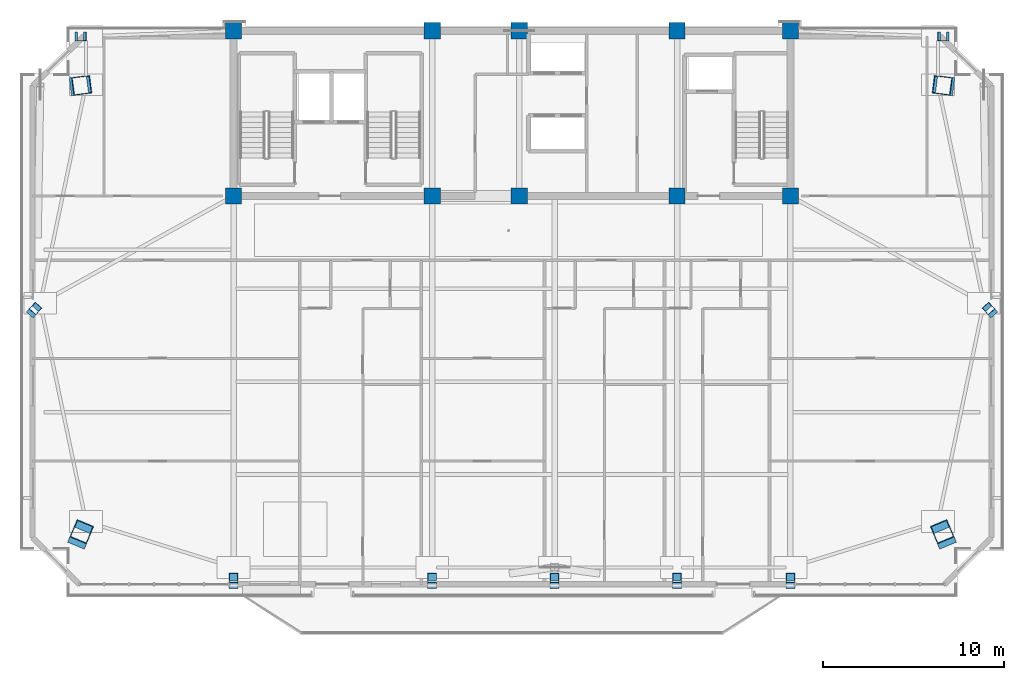
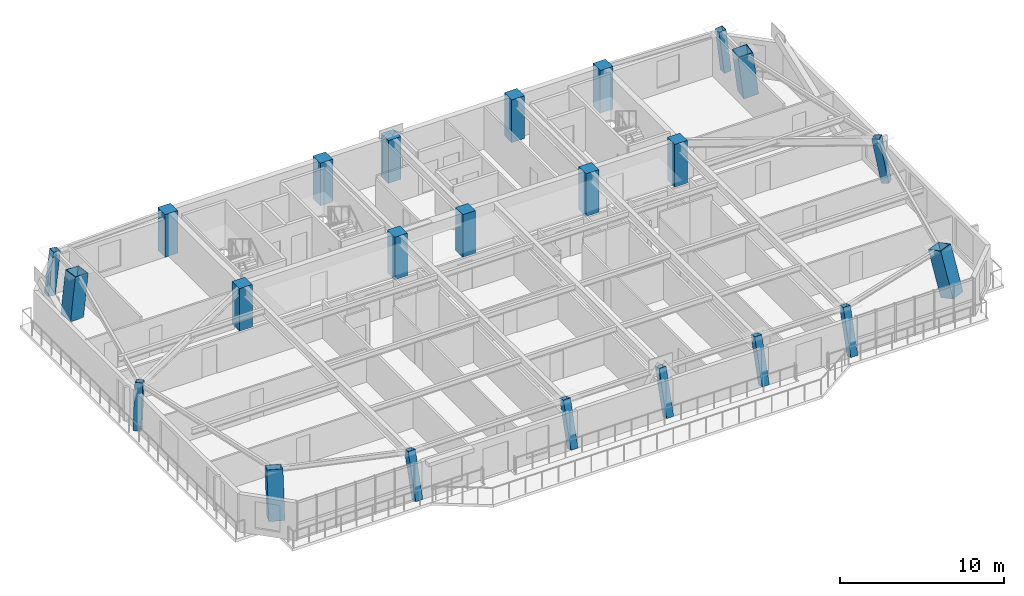
# One storey, part 1 of 18: 23 columns.
"""IFC4 building model written with IfcOpenShell, lengths in metres."""

from ifc_helpers import new_model, si_unit, direction, frame, origin, origin_2d, place, context, subcontext, project, spatial, rectangle, hollow_rectangle, extrude, source, transform, mapped, material, material_profile, profile_set, type_object, element, save


model = new_model("IFC4")

# Units and contexts
model_context = context("Model", 3, precision=1e-05, world=origin(), true_north=direction((0.0, 1.0)))
body_context = subcontext(model_context, "Body", "Model", "MODEL_VIEW")
ifc_project = project(units=[si_unit("LENGTHUNIT", "METRE"), si_unit("AREAUNIT", "SQUARE_METRE"), si_unit("VOLUMEUNIT", "CUBIC_METRE"), si_unit("PLANEANGLEUNIT", "RADIAN"), si_unit("MASSUNIT", "GRAM", prefix="KILO")], contexts=[model_context])

# Site, building, storey
site_placement = place(None, origin())
site = spatial("IfcSite", under=ifc_project, at=site_placement, CompositionType="ELEMENT")
building_placement = place(site_placement, origin())
building = spatial("IfcBuilding", under=site, at=building_placement, Name="Giltprow Tower", CompositionType="ELEMENT")
storey_placement = place(building_placement, frame((0.0, 0.0, 265.5)))
storey = spatial("IfcBuildingStorey", under=building, at=storey_placement, Name="L68", CompositionType="ELEMENT", Elevation=265.5)

# Columns
ifc_material_1 = material(Name="Structural steel Q420GJC", Category="steel")
ifc_material_profile_1 = material_profile(ifc_material_1, hollow_rectangle(XDim=1.0, YDim=1.0, WallThickness=0.044921875, at=origin_2d()), Name="BOX 1000x1000x45")
ifc_profile_set_1 = profile_set([ifc_material_profile_1], Name="Structural steel Q420GJC")
column_type_1 = type_object("IfcColumnType", Name="COL-BOX-1000x1000x45", PredefinedType="COLUMN", material=ifc_profile_set_1)
shared_shape_1 = source(origin(), body_context, "Body", "SweptSolid", [
    extrude(hollow_rectangle(XDim=1.0, YDim=1.0, WallThickness=0.044921875, at=origin_2d()), origin(), (0.0, 0.0, 1.0), 3.326171875),
])
for number, where, z_axis, x_axis, name in (
    (1, (11.347900390625, 18.614013671875, 0.0), (0.110977181902, 0.266066325657, 0.957545181936), (-0.922933739471, 0.384958845263, 0.0), "L68 Mega-Column MC_SW"),
    (2, (59.052978515625, 18.614013671875, 0.0), (-0.110904687369, 0.266068492199, 0.957552979098), (-0.923024180924, -0.384741941345, 0.0), "L68 Mega-Column MC_SE"),
):
    element("IfcColumn", number, at=place(storey_placement, frame(where, z_axis=z_axis, x_axis=x_axis)), inside=storey, type_object=column_type_1, Name=name, PredefinedType="COLUMN", context=body_context, shape_type="MappedRepresentation", body=[
        mapped(shared_shape_1, transform((0.0, 0.0, 0.0), x_axis=(1.0, 0.0, 0.0), y_axis=(0.0, 1.0, 0.0), z_axis=(0.0, 0.0, 1.0), scale=1.0)),
    ])
ifc_material_2 = material(Name="Structural steel Q355B", Category="steel")
ifc_material_profile_2 = material_profile(ifc_material_2, hollow_rectangle(XDim=0.5, YDim=0.5, WallThickness=0.02392578125, at=origin_2d()), Name="BOX 500x500x24")
ifc_profile_set_2 = profile_set([ifc_material_profile_2], Name="Structural steel Q355B")
column_type_2 = type_object("IfcColumnType", Name="COL-BOX-500x500x24", PredefinedType="COLUMN", material=ifc_profile_set_2)
shared_shape_2 = source(origin(), body_context, "Body", "SweptSolid", [
    extrude(hollow_rectangle(XDim=0.5, YDim=0.5, WallThickness=0.02392578125, at=origin_2d()), origin(), (0.0, 0.0, 1.0), 3.206298828125),
])
for number, where, z_axis, x_axis, name in (
    (3, (11.347900390625, 46.25, 0.0), (0.115126965108, 0.0, 0.993350784922), (0.0, 1.0, 0.0), "L68 Perimeter Column N_W"),
    (4, (59.052978515625, 46.25, 0.0), (-0.115051831153, 0.0, 0.993359489887), (0.0, -1.0, 0.0), "L68 Perimeter Column N_E"),
):
    element("IfcColumn", number, at=place(storey_placement, frame(where, z_axis=z_axis, x_axis=x_axis)), inside=storey, type_object=column_type_2, Name=name, PredefinedType="COLUMN", context=body_context, shape_type="MappedRepresentation", body=[
        mapped(shared_shape_2, transform((0.0, 0.0, 0.0), x_axis=(1.0, 0.0, 0.0), y_axis=(0.0, 1.0, 0.0), z_axis=(0.0, 0.0, 1.0), scale=1.0)),
    ])
shared_shape_3 = source(origin(), body_context, "Body", "SweptSolid", [
    extrude(hollow_rectangle(XDim=1.0, YDim=1.0, WallThickness=0.044921875, at=origin_2d()), origin(), (0.0, 0.0, 1.0), 3.206787109375),
])
for number, where, z_axis, x_axis, name in (
    (5, (11.347900390625, 43.530029296875, 0.0), (0.115114664391, 0.014617735161, 0.993244650557), (-0.125972537044, 0.99203372922, 0.0), "L68 Mega-Column MC_NW"),
    (6, (59.052978515625, 43.530029296875, 0.0), (-0.115039538248, 0.014617863232, 0.993253352732), (-0.12605458305, -0.992023307232, 0.0), "L68 Mega-Column MC_NE"),
):
    element("IfcColumn", number, at=place(storey_placement, frame(where, z_axis=z_axis, x_axis=x_axis)), inside=storey, type_object=column_type_1, Name=name, PredefinedType="COLUMN", context=body_context, shape_type="MappedRepresentation", body=[
        mapped(shared_shape_3, transform((0.0, 0.0, 0.0), x_axis=(1.0, 0.0, 0.0), y_axis=(0.0, 1.0, 0.0), z_axis=(0.0, 0.0, 1.0), scale=1.0)),
    ])
ifc_material_3 = material(Name="Concrete C45", Category="concrete")
ifc_material_profile_3 = material_profile(ifc_material_3, rectangle(XDim=0.89990234375, YDim=0.89990234375, at=origin_2d()), Name="RC 900x900")
ifc_profile_set_3 = profile_set([ifc_material_profile_3], Name="Concrete C45")
column_type_3 = type_object("IfcColumnType", Name="PIL-RC-900-C45", PredefinedType="PILASTER", material=ifc_profile_set_3)
shared_shape_4 = source(origin(), body_context, "Body", "SweptSolid", [
    extrude(rectangle(XDim=0.89990234375, YDim=0.89990234375, at=origin_2d()), origin(), (0.0, 0.0, 1.0), 3.18505859375),
])
for number, where, z_axis, x_axis, name in (
    (7, (19.85009765625, 37.449951171875, 0.0), (0.0, 0.0, 1.0), (1.0, 0.0, 0.0), "L68 Core Boundary Pilaster 1-1"),
    (8, (19.85009765625, 46.550048828125, 0.0), (0.0, 0.0, 1.0), (1.0, 0.0, 0.0), "L68 Core Boundary Pilaster 1-2"),
    (9, (30.800048828125, 37.449951171875, 0.0), (0.0, 0.0, 1.0), (1.0, 0.0, 0.0), "L68 Core Boundary Pilaster 2-1"),
    (10, (30.800048828125, 46.550048828125, 0.0), (0.0, 0.0, 1.0), (1.0, 0.0, 0.0), "L68 Core Boundary Pilaster 2-2"),
    (11, (35.60009765625, 37.449951171875, 0.0), (0.0, 0.0, 1.0), (1.0, 0.0, 0.0), "L68 Core Boundary Pilaster 3-1"),
    (12, (35.60009765625, 46.550048828125, 0.0), (0.0, 0.0, 1.0), (1.0, 0.0, 0.0), "L68 Core Boundary Pilaster 3-2"),
    (13, (44.300048828125, 37.449951171875, 0.0), (0.0, 0.0, 1.0), (1.0, 0.0, 0.0), "L68 Core Boundary Pilaster 4-1"),
    (14, (44.300048828125, 46.550048828125, 0.0), (0.0, 0.0, 1.0), (1.0, 0.0, 0.0), "L68 Core Boundary Pilaster 4-2"),
    (15, (50.550048828125, 37.449951171875, 0.0), (0.0, 0.0, 1.0), (1.0, 0.0, 0.0), "L68 Core Boundary Pilaster 5-1"),
    (16, (50.550048828125, 46.550048828125, 0.0), (0.0, 0.0, 1.0), (1.0, 0.0, 0.0), "L68 Core Boundary Pilaster 5-2"),
):
    element("IfcColumn", number, at=place(storey_placement, frame(where, z_axis=z_axis, x_axis=x_axis)), inside=storey, type_object=column_type_3, Name=name, PredefinedType="PILASTER", context=body_context, shape_type="MappedRepresentation", body=[
        mapped(shared_shape_4, transform((0.0, 0.0, 0.0), x_axis=(1.0, 0.0, 0.0), y_axis=(0.0, 1.0, 0.0), z_axis=(0.0, 0.0, 1.0), scale=1.0)),
    ])
shared_shape_5 = source(origin(), body_context, "Body", "SweptSolid", [
    extrude(hollow_rectangle(XDim=0.5, YDim=0.5, WallThickness=0.02392578125, at=origin_2d()), origin(), (0.0, 0.0, 1.0), 3.318359375),
])
for number, where, z_axis, x_axis, name in (
    (17, (19.85009765625, 16.044921875, 0.0), (0.0, 0.280604531731, 0.959823471672), (-1.0, 0.0, 0.0), "L68 Perimeter Column S1"),
    (18, (30.800048828125, 16.044921875, 0.0), (0.0, 0.280604531731, 0.959823471672), (-1.0, 0.0, 0.0), "L68 Perimeter Column S2"),
    (19, (37.550048828125, 16.044921875, 0.0), (0.0, 0.280604531731, 0.959823471672), (-1.0, 0.0, 0.0), "L68 Perimeter Column S_MID"),
    (20, (44.300048828125, 16.044921875, 0.0), (0.0, 0.280604531731, 0.959823471672), (-1.0, 0.0, 0.0), "L68 Perimeter Column S3"),
    (21, (50.550048828125, 16.044921875, 0.0), (0.0, 0.280604531731, 0.959823471672), (-1.0, 0.0, 0.0), "L68 Perimeter Column S4"),
):
    element("IfcColumn", number, at=place(storey_placement, frame(where, z_axis=z_axis, x_axis=x_axis)), inside=storey, type_object=column_type_2, Name=name, PredefinedType="COLUMN", context=body_context, shape_type="MappedRepresentation", body=[
        mapped(shared_shape_5, transform((0.0, 0.0, 0.0), x_axis=(1.0, 0.0, 0.0), y_axis=(0.0, 1.0, 0.0), z_axis=(0.0, 0.0, 1.0), scale=1.0)),
    ])
shared_shape_6 = source(origin(), body_context, "Body", "SweptSolid", [
    extrude(hollow_rectangle(XDim=0.5, YDim=0.5, WallThickness=0.02392578125, at=origin_2d()), origin(), (0.0, 0.0, 1.0), 3.24560546875),
])
for number, where, z_axis, x_axis, name in (
    (22, (8.779052734375, 31.072021484375, 0.0), (0.127876528395, 0.143597819239, 0.981339523201), (-0.746804669772, 0.665043446104, 0.0), "L68 Perimeter Column W_MID"),
    (23, (61.6220703125, 31.072021484375, 0.0), (-0.127876528395, 0.143597819239, 0.981339523201), (-0.746804669772, -0.665043446104, 0.0), "L68 Perimeter Column E_MID"),
):
    element("IfcColumn", number, at=place(storey_placement, frame(where, z_axis=z_axis, x_axis=x_axis)), inside=storey, type_object=column_type_2, Name=name, PredefinedType="COLUMN", context=body_context, shape_type="MappedRepresentation", body=[
        mapped(shared_shape_6, transform((0.0, 0.0, 0.0), x_axis=(1.0, 0.0, 0.0), y_axis=(0.0, 1.0, 0.0), z_axis=(0.0, 0.0, 1.0), scale=1.0)),
    ])

save(model, "model.ifc")
